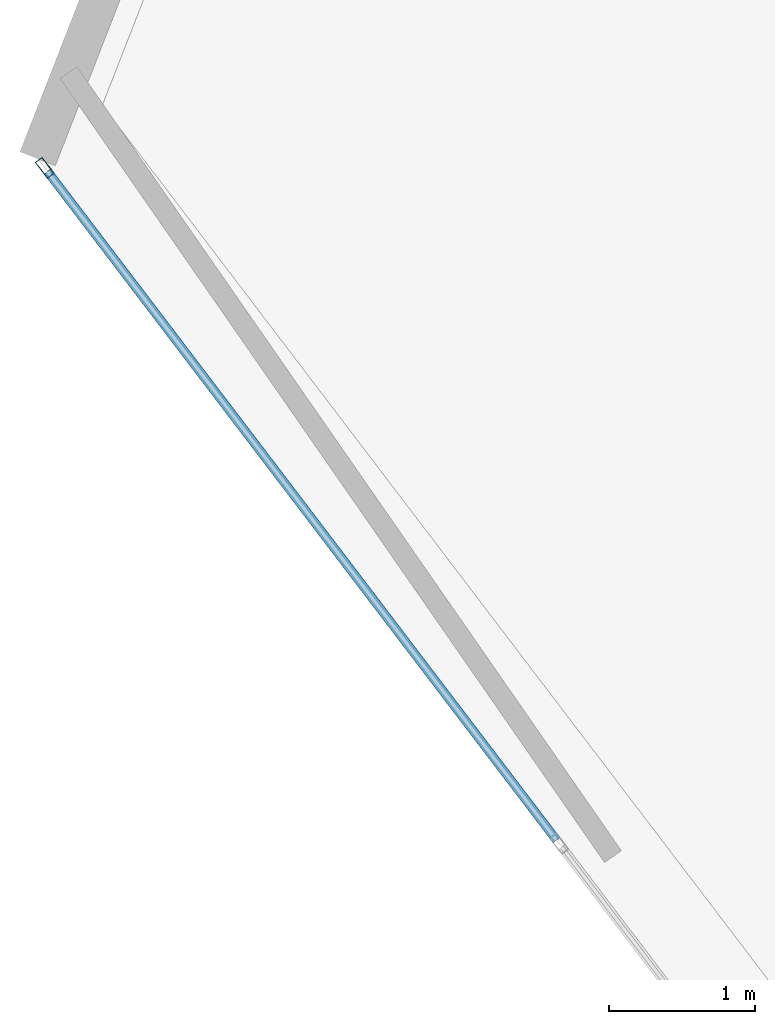
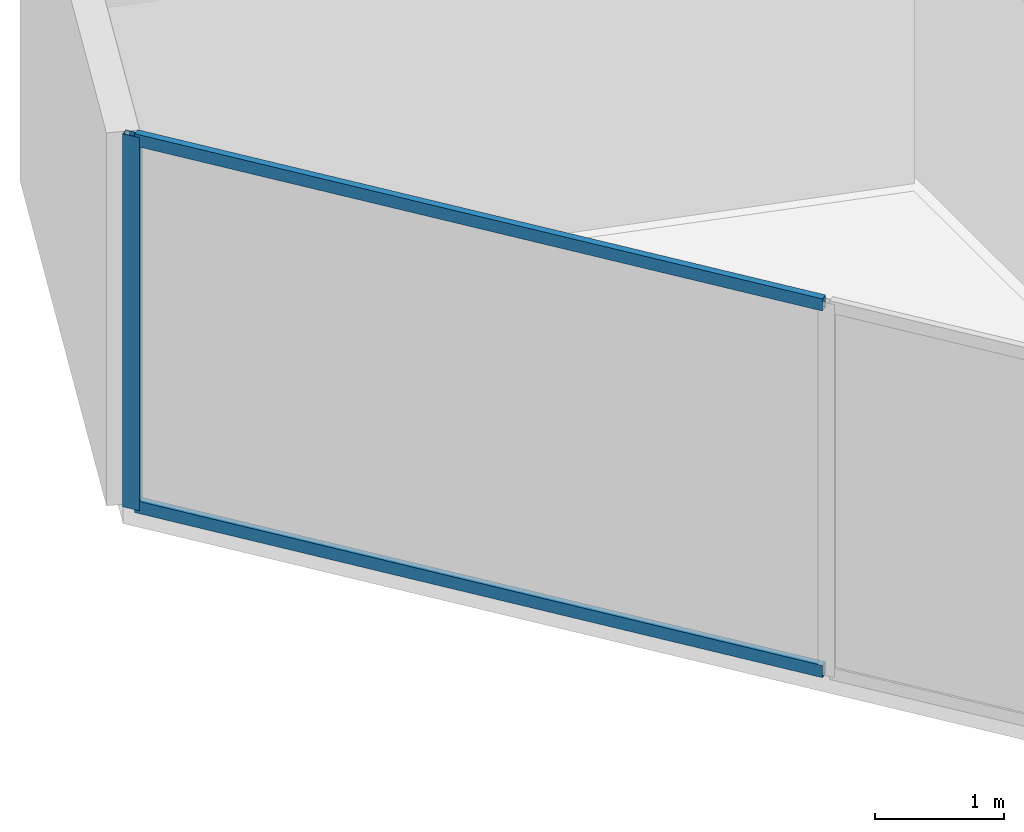
# One storey, part 8 of 24: 3 members, 1 element without a shape of its own.
"""IFC4 building model written with IfcOpenShell, lengths in metres."""

from ifc_helpers import new_model, si_unit, direction, frame, origin, origin_2d, place, context, subcontext, project, spatial, hollow_rectangle, extrude, material, layer, layer_set, material_profile, profile_set, type_object, element, aggregate, save


model = new_model("IFC4")

# Units and contexts
model_context = context("Model", 3, precision=1e-05, world=origin(), true_north=direction((0.0, 1.0)))
body_context = subcontext(model_context, "Body", "Model", "MODEL_VIEW")
ifc_project = project(units=[si_unit("LENGTHUNIT", "METRE"), si_unit("AREAUNIT", "SQUARE_METRE"), si_unit("VOLUMEUNIT", "CUBIC_METRE"), si_unit("PLANEANGLEUNIT", "RADIAN"), si_unit("MASSUNIT", "GRAM", prefix="KILO")], contexts=[model_context])

# Site, building, storey
site_placement = place(None, origin())
site = spatial("IfcSite", under=ifc_project, at=site_placement, CompositionType="ELEMENT")
building_placement = place(site_placement, origin())
building = spatial("IfcBuilding", under=site, at=building_placement, Name="Qianvela Tower", CompositionType="ELEMENT")
storey_placement = place(building_placement, frame((0.0, 0.0, 306.5)))
storey = spatial("IfcBuildingStorey", under=building, at=storey_placement, Name="L79", CompositionType="ELEMENT", Elevation=306.5)

# Curtain wall, members
ifc_material_1 = material(Name="Anodised Architectural Aluminium and Low-E Glass", Category="aluminium")
ifc_layer = layer(ifc_material_1, 0.14990234375)
ifc_layer_set = layer_set([ifc_layer], Name="Anodised Architectural Aluminium and Low-E Glass")
curtain_wall_type = type_object("IfcCurtainWallType", Name="CW-COLIV-Z78", PredefinedType="USERDEFINED", material=ifc_layer_set)
curtain_wall_placement = place(storey_placement, origin())
curtain_wall = element("IfcCurtainWall", 1, at=curtain_wall_placement, inside=storey, type_object=curtain_wall_type, Name="L79 CW-COLIV-Z78 Curtain Wall 04A", ObjectType="CURTAIN_WALL_SYSTEM", PredefinedType="USERDEFINED")
ifc_material_2 = material(Name="Anodised Architectural Aluminium 6063-T6", Category="aluminium")
ifc_material_profile_1 = material_profile(ifc_material_2, hollow_rectangle(XDim=0.06005859375, YDim=0.139892578125, WallThickness=0.00439453125, at=origin_2d()), Name="ALU-MULL-60x140")
ifc_profile_set_1 = profile_set([ifc_material_profile_1], Name="Anodised Architectural Aluminium 6063-T6")
member_type_1 = type_object("IfcMemberType", Name="CW-COLIV-Z78-MULL", PredefinedType="MULLION", material=ifc_profile_set_1)
member_1_placement = place(storey_placement, frame((18.14599609375, 28.67724609375, 0.0), z_axis=(0.0, 0.0, 1.0), x_axis=(0.795688844812, 0.605705590399, 0.0)))
member_1 = element("IfcMember", 2, at=member_1_placement, type_object=member_type_1, Name="CW-6 mullion 1", PredefinedType="MULLION", context=body_context, shape_type="SweptSolid", body=[
    extrude(hollow_rectangle(XDim=0.06005859375, YDim=0.139892578125, WallThickness=0.00439453125, at=origin_2d()), origin(), (0.0, 0.0, 1.0), 3.52001953125),
])
ifc_material_3 = material(Name="Anodised Architectural Aluminium 6063-T6", Category="aluminium")
ifc_material_profile_2 = material_profile(ifc_material_3, hollow_rectangle(XDim=0.06005859375, YDim=0.114990234375, WallThickness=0.00390625, at=origin_2d()), Name="ALU-TRAN-60x115")
ifc_profile_set_2 = profile_set([ifc_material_profile_2], Name="Anodised Architectural Aluminium 6063-T6")
member_type_2 = type_object("IfcMemberType", Name="CW-COLIV-Z78-TRAN", PredefinedType="USERDEFINED", material=ifc_profile_set_2)
member_2_placement = place(storey_placement, frame((18.164306640625, 28.6533203125, 0.030029296875), z_axis=(0.605710146431, -0.795685376585, 0.0), x_axis=(0.795685376585, 0.605710146431, 0.0)))
member_2 = element("IfcMember", 3, at=member_2_placement, type_object=member_type_2, Name="CW-6 transom 1.1", ObjectType="TRANSOM", PredefinedType="USERDEFINED", context=body_context, shape_type="SweptSolid", body=[
    extrude(hollow_rectangle(XDim=0.06005859375, YDim=0.114990234375, WallThickness=0.00390625, at=origin_2d()), origin(), (0.0, 0.0, 1.0), 5.76513671875),
])
member_3_placement = place(storey_placement, frame((18.164306640625, 28.6533203125, 3.489990234375), z_axis=(0.605710146431, -0.795685376585, 0.0), x_axis=(0.795685376585, 0.605710146431, 0.0)))
member_3 = element("IfcMember", 4, at=member_3_placement, type_object=member_type_2, Name="CW-6 transom 1.2", ObjectType="TRANSOM", PredefinedType="USERDEFINED", context=body_context, shape_type="SweptSolid", body=[
    extrude(hollow_rectangle(XDim=0.06005859375, YDim=0.114990234375, WallThickness=0.00390625, at=origin_2d()), origin(), (0.0, 0.0, 1.0), 5.76513671875),
])
aggregate(curtain_wall, [member_1, member_2, member_3])

save(model, "model.ifc")
